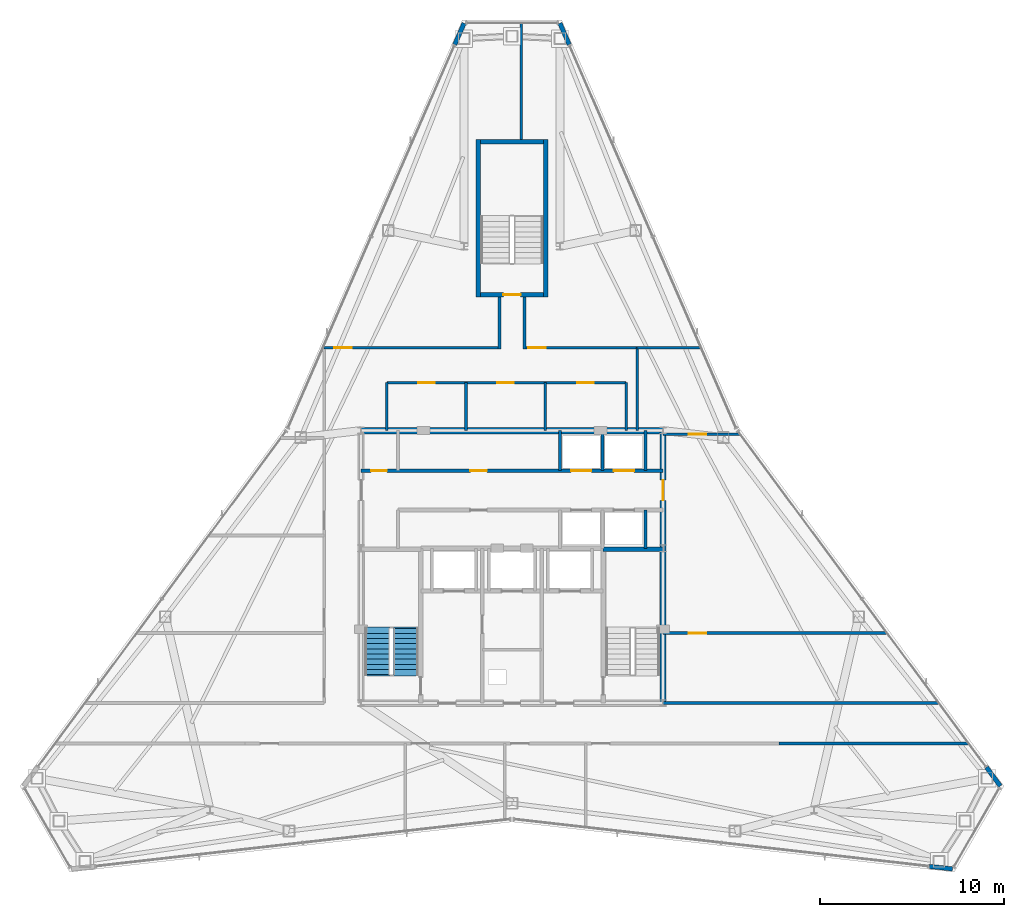
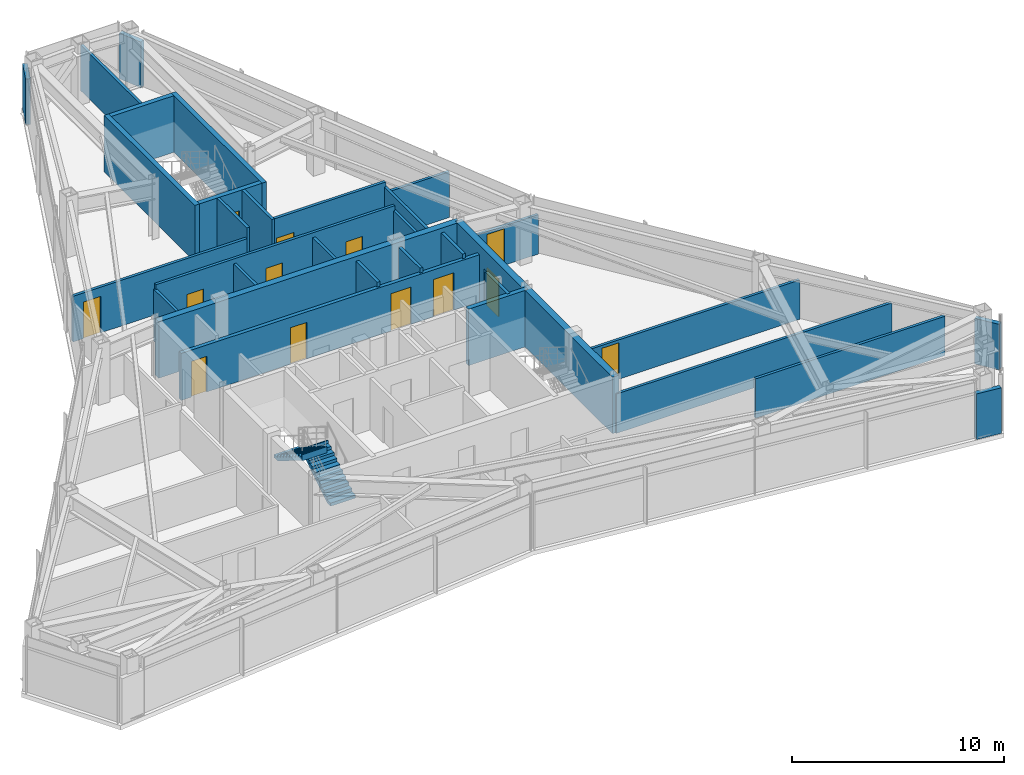
# One storey, part 10 of 12: 32 walls, 13 doors, 2 stair flights, 13 openings, 1 element without a shape of its own.
"""IFC4 building model written with IfcOpenShell, lengths in metres."""

from ifc_helpers import new_model, si_unit, direction, frame, frame_2d, origin, place, context, subcontext, project, spatial, polyline, rectangle, outline, extrude, material, layer, layer_set, type_object, element, fill, aggregate, save


model = new_model("IFC4")

# Units and contexts
model_context = context("Model", 3, precision=1e-05, world=origin(), true_north=direction((0.0, 1.0)))
body_context = subcontext(model_context, "Body", "Model", "MODEL_VIEW")
ifc_project = project(units=[si_unit("LENGTHUNIT", "METRE"), si_unit("AREAUNIT", "SQUARE_METRE"), si_unit("VOLUMEUNIT", "CUBIC_METRE"), si_unit("PLANEANGLEUNIT", "RADIAN"), si_unit("MASSUNIT", "GRAM", prefix="KILO")], contexts=[model_context])

# Site, building, storey
site_placement = place(None, origin())
site = spatial("IfcSite", under=ifc_project, at=site_placement, CompositionType="ELEMENT")
building_placement = place(site_placement, origin())
building = spatial("IfcBuilding", under=site, at=building_placement, Name="Varakhsha Concourse Tower", CompositionType="ELEMENT")
storey_placement = place(building_placement, frame((0.0, 0.0, 283.0)))
storey = spatial("IfcBuildingStorey", under=building, at=storey_placement, Name="L80", CompositionType="ELEMENT", Elevation=283.0)

# Wall
ifc_material_1 = material(Name="Concrete fc 65 MPa", Category="concrete")
ifc_layer_1 = layer(ifc_material_1, 0.35009765625, Name="WL-CORE-350")
ifc_layer_set_1 = layer_set([ifc_layer_1], Name="Concrete fc 65 MPa")
wall_type_1 = type_object("IfcWallType", Name="WL-CORE-350", PredefinedType="SHEAR", material=ifc_layer_set_1)
wall_1_placement = place(storey_placement, frame((31.800048828125, 31.199951171875, 0.0), z_axis=(0.0, 0.0, 1.0), x_axis=(1.0, 0.0, 0.0)))
element("IfcWall", 1, at=wall_1_placement, inside=storey, type_object=wall_type_1, Name="L80 Wall CWALL-N-L80", PredefinedType="SHEAR", context=body_context, shape_type="SweptSolid", body=[
    extrude(rectangle(XDim=16.39990234375, YDim=0.35009765625, at=frame_2d((8.199951171875, 0.0))), origin(), (0.0, 0.0, 1.0), 3.25),
])

# Wall, opening, door
wall_2_placement = place(storey_placement, frame((48.199951171875, 16.39990234375, 0.0), z_axis=(0.0, 0.0, 1.0), x_axis=(0.0, 1.0, 0.0)))
wall_2 = element("IfcWall", 2, at=wall_2_placement, inside=storey, type_object=wall_type_1, Name="L80 Wall CWALL-E-L80", PredefinedType="SHEAR", context=body_context, shape_type="SweptSolid", body=[
    extrude(rectangle(XDim=14.800048828125, YDim=0.35009765625, at=frame_2d((7.39990234375, 0.0))), origin(), (0.0, 0.0, 1.0), 3.25),
])
opening_1_placement = place(wall_2_placement, frame((11.0, 0.0, 0.0)))
opening_1 = element("IfcOpeningElement", 3, at=opening_1_placement, cuts=wall_2, Name="Opening DL-01", PredefinedType="OPENING", context=body_context, shape_type="SweptSolid", body=[
    extrude(rectangle(XDim=1.10009765625, YDim=2.14990234375, at=frame_2d((0.550048828125, 1.074951171875))), frame((0.0, 0.18505859375, 0.0), z_axis=(0.0, -1.0, 0.0), x_axis=(1.0, 0.0, 0.0)), (0.0, 0.0, 1.0), 0.3701171875),
])
ifc_material_2 = material(Name="Anodised Bronze Architectural Aluminium AA 6063-T6", Category="aluminium")
door_type_1 = type_object("IfcDoorType", Name="DR-LOB-1100", OperationType="NOTDEFINED", PredefinedType="DOOR", material=ifc_material_2)
door_1_placement = place(opening_1_placement, origin())
door_1 = element("IfcDoor", 4, at=door_1_placement, inside=storey, type_object=door_type_1, Name="L80 Lift Lobby East Concourse Door", OperationType="SINGLE_SWING_RIGHT", OverallHeight=2.14990234375, OverallWidth=1.10009765625, PredefinedType="DOOR", context=body_context, shape_type="SweptSolid", body=[
    extrude(rectangle(XDim=1.10009765625, YDim=2.14990234375, at=frame_2d((0.550048828125, 1.074951171875))), frame((0.0, 0.02490234375, 0.0), z_axis=(0.0, -1.0, 0.0), x_axis=(1.0, 0.0, 0.0)), (0.0, 0.0, 1.0), 0.050048828125),
])
fill(opening_1, door_1)

# Walls
ifc_material_3 = material(Name="Concrete fc 45 MPa", Category="concrete")
ifc_layer_2 = layer(ifc_material_3, 0.239990234375, Name="WL-EXT-CRN-240")
ifc_layer_set_2 = layer_set([ifc_layer_2], Name="Concrete fc 45 MPa")
wall_type_2 = type_object("IfcWallType", Name="WL-EXT-CRN-240", PredefinedType="SHEAR", material=ifc_layer_set_2)
for number, where, z_axis, x_axis, name in (
    (5, (37.398681640625, 53.322998046875, 0.0), (0.0, 0.0, 1.0), (-0.398888090641, -0.916999613492, 0.0), "L80 Wind-Corner Shoulder Wall F2"),
    (6, (62.6611328125, 7.52880859375, 0.0), (0.0, 0.0, 1.0), (0.993610655419, -0.11286215237, 0.0), "L80 Wind-Corner Shoulder Wall F6"),
):
    element("IfcWall", number, at=place(storey_placement, frame(where, z_axis=z_axis, x_axis=x_axis)), inside=storey, type_object=wall_type_2, Name=name, PredefinedType="SHEAR", context=body_context, shape_type="SweptSolid", body=[
        extrude(rectangle(XDim=1.267578125, YDim=0.239990234375, at=frame_2d((0.6337890625, 0.0))), origin(), (0.0, 0.0, 1.0), 2.623046875),
    ])
wall_3_placement = place(storey_placement, frame((66.521728515625, 11.891357421875, 0.0), z_axis=(0.0, 0.0, 1.0), x_axis=(-0.594499388503, 0.804096062091, 0.0)))
element("IfcWall", 7, at=wall_3_placement, inside=storey, type_object=wall_type_2, Name="L80 Wind-Corner Shoulder Wall F8", PredefinedType="SHEAR", context=body_context, shape_type="SweptSolid", body=[
    extrude(rectangle(XDim=1.267333984375, YDim=0.239990234375, at=frame_2d((0.6337890625, 0.0))), origin(), (0.0, 0.0, 1.0), 2.623046875),
])
wall_4_placement = place(storey_placement, frame((43.10693359375, 52.16064453125, 0.0), z_axis=(0.0, 0.0, 1.0), x_axis=(-0.398888090641, 0.916999613492, 0.0)))
element("IfcWall", 8, at=wall_4_placement, inside=storey, type_object=wall_type_2, Name="L80 Wind-Corner Shoulder Wall F9", PredefinedType="SHEAR", context=body_context, shape_type="SweptSolid", body=[
    extrude(rectangle(XDim=1.267578125, YDim=0.239990234375, at=frame_2d((0.6337890625, 0.0))), origin(), (0.0, 0.0, 1.0), 2.623046875),
])

# Wall, openings, doors
ifc_material_4 = material(Name="Fire-Rated Type X Gypsum Partition Assembly", Category="gypsum")
ifc_layer_3 = layer(ifc_material_4, 0.14990234375, Name="WL-PART-150")
ifc_layer_set_3 = layer_set([ifc_layer_3], Name="Fire-Rated Type X Gypsum Partition Assembly")
wall_type_3 = type_object("IfcWallType", Name="WL-PART-150", PredefinedType="PARTITIONING", material=ifc_layer_set_3)
wall_5_placement = place(storey_placement, frame((33.199951171875, 33.800048828125, 0.0), z_axis=(0.0, 0.0, 1.0), x_axis=(1.0, 0.0, 0.0)))
wall_5 = element("IfcWall", 9, at=wall_5_placement, inside=storey, type_object=wall_type_3, Name="L80 Wall NBOH-N-L80", PredefinedType="PARTITIONING", context=body_context, shape_type="SweptSolid", body=[
    extrude(rectangle(XDim=13.0, YDim=0.14990234375, at=frame_2d((6.5, 0.0))), origin(), (0.0, 0.0, 1.0), 3.25),
])
opening_2_placement = place(wall_5_placement, frame((1.699951171875, 0.0, 0.0)))
opening_2 = element("IfcOpeningElement", 10, at=opening_2_placement, cuts=wall_5, Name="Opening DF-06", PredefinedType="OPENING", context=body_context, shape_type="SweptSolid", body=[
    extrude(rectangle(XDim=0.89990234375, YDim=2.10009765625, at=frame_2d((0.449951171875, 1.050048828125))), frame((0.0, 0.0849609375, 0.0), z_axis=(0.0, -1.0, 0.0), x_axis=(1.0, 0.0, 0.0)), (0.0, 0.0, 1.0), 0.169921875),
])
opening_3_placement = place(wall_5_placement, frame((6.0, 0.0, 0.0)))
opening_3 = element("IfcOpeningElement", 11, at=opening_3_placement, cuts=wall_5, Name="Opening DF-06", PredefinedType="OPENING", context=body_context, shape_type="SweptSolid", body=[
    extrude(rectangle(XDim=0.89990234375, YDim=2.10009765625, at=frame_2d((0.449951171875, 1.050048828125))), frame((0.0, 0.0849609375, 0.0), z_axis=(0.0, -1.0, 0.0), x_axis=(1.0, 0.0, 0.0)), (0.0, 0.0, 1.0), 0.169921875),
])
opening_4_placement = place(wall_5_placement, frame((10.35009765625, 0.0, 0.0)))
opening_4 = element("IfcOpeningElement", 12, at=opening_4_placement, cuts=wall_5, Name="Opening DF-06", PredefinedType="OPENING", context=body_context, shape_type="SweptSolid", body=[
    extrude(rectangle(XDim=0.89990234375, YDim=2.10009765625, at=frame_2d((0.449951171875, 1.050048828125))), frame((0.0, 0.0849609375, 0.0), z_axis=(0.0, -1.0, 0.0), x_axis=(1.0, 0.0, 0.0)), (0.0, 0.0, 1.0), 0.169921875),
])
ifc_material_5 = material(Name="Hollow Galvanised Steel Fire Door Assembly", Category="steel")
door_type_2 = type_object("IfcDoorType", Name="DR-FD60-900", OperationType="NOTDEFINED", PredefinedType="DOOR", material=ifc_material_5)
door_2_placement = place(opening_2_placement, origin())
door_2 = element("IfcDoor", 13, at=door_2_placement, inside=storey, type_object=door_type_2, Name="L80 Men Restroom WC Door", OperationType="SINGLE_SWING_LEFT", OverallHeight=2.10009765625, OverallWidth=0.89990234375, PredefinedType="DOOR", context=body_context, shape_type="SweptSolid", body=[
    extrude(rectangle(XDim=0.89990234375, YDim=2.10009765625, at=frame_2d((0.449951171875, 1.050048828125))), frame((0.0, 0.02490234375, 0.0), z_axis=(0.0, -1.0, 0.0), x_axis=(1.0, 0.0, 0.0)), (0.0, 0.0, 1.0), 0.050048828125),
])
fill(opening_2, door_2)
door_3_placement = place(opening_3_placement, origin())
door_3 = element("IfcDoor", 14, at=door_3_placement, inside=storey, type_object=door_type_2, Name="L80 Women Restroom WC Door", OperationType="SINGLE_SWING_RIGHT", OverallHeight=2.10009765625, OverallWidth=0.89990234375, PredefinedType="DOOR", context=body_context, shape_type="SweptSolid", body=[
    extrude(rectangle(XDim=0.89990234375, YDim=2.10009765625, at=frame_2d((0.449951171875, 1.050048828125))), frame((0.0, 0.02490234375, 0.0), z_axis=(0.0, -1.0, 0.0), x_axis=(1.0, 0.0, 0.0)), (0.0, 0.0, 1.0), 0.050048828125),
])
fill(opening_3, door_3)
door_4_placement = place(opening_4_placement, origin())
door_4 = element("IfcDoor", 15, at=door_4_placement, inside=storey, type_object=door_type_2, Name="L80 Accessible WC Door", OperationType="SINGLE_SWING_LEFT", OverallHeight=2.10009765625, OverallWidth=0.89990234375, PredefinedType="DOOR", context=body_context, shape_type="SweptSolid", body=[
    extrude(rectangle(XDim=0.89990234375, YDim=2.10009765625, at=frame_2d((0.449951171875, 1.050048828125))), frame((0.0, 0.02490234375, 0.0), z_axis=(0.0, -1.0, 0.0), x_axis=(1.0, 0.0, 0.0)), (0.0, 0.0, 1.0), 0.050048828125),
])
fill(opening_4, door_4)

# Walls
for number, where, z_axis, x_axis, name in (
    (16, (33.199951171875, 31.199951171875, 0.0), (0.0, 0.0, 1.0), (0.0, 1.0, 0.0), "L80 Wall NBOH-W-L80"),
    (17, (46.199951171875, 31.199951171875, 0.0), (0.0, 0.0, 1.0), (0.0, 1.0, 0.0), "L80 Wall NBOH-E-L80"),
    (18, (37.5, 31.199951171875, 0.0), (0.0, 0.0, 1.0), (0.0, 1.0, 0.0), "L80 Wall NBOH-D1-L80"),
    (19, (41.800048828125, 31.199951171875, 0.0), (0.0, 0.0, 1.0), (0.0, 1.0, 0.0), "L80 Wall NBOH-D2-L80"),
):
    element("IfcWall", number, at=place(storey_placement, frame(where, z_axis=z_axis, x_axis=x_axis)), inside=storey, type_object=wall_type_3, Name=name, PredefinedType="PARTITIONING", context=body_context, shape_type="SweptSolid", body=[
        extrude(rectangle(XDim=2.60009765625, YDim=0.14990234375, at=frame_2d((1.300048828125, 0.0))), origin(), (0.0, 0.0, 1.0), 2.97802734375),
    ])
wall_6_placement = place(storey_placement, frame((54.5, 14.199951171875, 0.0), z_axis=(0.0, 0.0, 1.0), x_axis=(1.0, 0.0, 0.0)))
element("IfcWall", 20, at=wall_6_placement, inside=storey, type_object=wall_type_3, Name="L80 Wall CRW-SGAL-SE-L80", PredefinedType="PARTITIONING", context=body_context, shape_type="SweptSolid", body=[
    extrude(rectangle(XDim=10.308349609375, YDim=0.14990234375, at=frame_2d((5.154296875, 0.0))), origin(), (0.0, 0.0, 1.0), 2.264892578125),
])
wall_7_placement = place(storey_placement, frame((48.199951171875, 16.39990234375, 0.0), z_axis=(0.0, 0.0, 1.0), x_axis=(1.0, 0.0, 0.0)))
element("IfcWall", 21, at=wall_7_placement, inside=storey, type_object=wall_type_3, Name="L80 Wall CRW-SGAL-NE-L80", PredefinedType="PARTITIONING", context=body_context, shape_type="SweptSolid", body=[
    extrude(rectangle(XDim=14.981689453125, YDim=0.14990234375, at=frame_2d((7.49072265625, 0.0))), origin(), (0.0, 0.0, 1.0), 2.264892578125),
])

# Wall, opening, door
wall_8_placement = place(storey_placement, frame((29.800048828125, 35.699951171875, 0.0), z_axis=(0.0, 0.0, 1.0), x_axis=(1.0, 0.0, 0.0)))
wall_8 = element("IfcWall", 22, at=wall_8_placement, inside=storey, type_object=wall_type_3, Name="L80 Wall CRW-N-L80", PredefinedType="PARTITIONING", context=body_context, shape_type="SweptSolid", body=[
    extrude(rectangle(XDim=9.449951171875, YDim=0.14990234375, at=frame_2d((4.72509765625, 0.0))), origin(), (0.0, 0.0, 1.0), 2.6279296875),
])
opening_5_placement = place(wall_8_placement, frame((0.550048828125, 0.0, 0.0)))
opening_5 = element("IfcOpeningElement", 23, at=opening_5_placement, cuts=wall_8, Name="Opening DF-05", PredefinedType="OPENING", context=body_context, shape_type="SweptSolid", body=[
    extrude(rectangle(XDim=0.949951171875, YDim=2.10009765625, at=frame_2d((0.47509765625, 1.050048828125))), frame((0.0, 0.0849609375, 0.0), z_axis=(0.0, -1.0, 0.0), x_axis=(1.0, 0.0, 0.0)), (0.0, 0.0, 1.0), 0.169921875),
])
door_type_3 = type_object("IfcDoorType", Name="DR-FD60-950", OperationType="NOTDEFINED", PredefinedType="DOOR", material=ifc_material_5)
door_5_placement = place(opening_5_placement, origin())
door_5 = element("IfcDoor", 24, at=door_5_placement, inside=storey, type_object=door_type_3, Name="L80 Mountain View Grand Corner Boardroom L80-N1 Door", OperationType="SINGLE_SWING_LEFT", OverallHeight=2.10009765625, OverallWidth=0.949951171875, PredefinedType="DOOR", context=body_context, shape_type="SweptSolid", body=[
    extrude(rectangle(XDim=0.949951171875, YDim=2.10009765625, at=frame_2d((0.47509765625, 1.050048828125))), frame((0.0, 0.02490234375, 0.0), z_axis=(0.0, -1.0, 0.0), x_axis=(1.0, 0.0, 0.0)), (0.0, 0.0, 1.0), 0.050048828125),
])
fill(opening_5, door_5)

wall_9_placement = place(storey_placement, frame((40.75, 35.699951171875, 0.0), z_axis=(0.0, 0.0, 1.0), x_axis=(1.0, 0.0, 0.0)))
wall_9 = element("IfcWall", 25, at=wall_9_placement, inside=storey, type_object=wall_type_3, Name="L80 Wall CRW-N-L80-B", PredefinedType="PARTITIONING", context=body_context, shape_type="SweptSolid", body=[
    extrude(rectangle(XDim=6.050048828125, YDim=0.14990234375, at=frame_2d((3.02490234375, 0.0))), origin(), (0.0, 0.0, 1.0), 3.25),
])
opening_6_placement = place(wall_9_placement, frame((0.1201171875, 0.0, 0.0)))
opening_6 = element("IfcOpeningElement", 26, at=opening_6_placement, cuts=wall_9, Name="Opening DF-05", PredefinedType="OPENING", context=body_context, shape_type="SweptSolid", body=[
    extrude(rectangle(XDim=0.949951171875, YDim=2.10009765625, at=frame_2d((0.47509765625, 1.050048828125))), frame((0.0, 0.0849609375, 0.0), z_axis=(0.0, -1.0, 0.0), x_axis=(1.0, 0.0, 0.0)), (0.0, 0.0, 1.0), 0.169921875),
])
door_6_placement = place(opening_6_placement, origin())
door_6 = element("IfcDoor", 27, at=door_6_placement, inside=storey, type_object=door_type_3, Name="L80 North Executive Director Suite L80-N2 Door", OperationType="SINGLE_SWING_RIGHT", OverallHeight=2.10009765625, OverallWidth=0.949951171875, PredefinedType="DOOR", context=body_context, shape_type="SweptSolid", body=[
    extrude(rectangle(XDim=0.949951171875, YDim=2.10009765625, at=frame_2d((0.47509765625, 1.050048828125))), frame((0.0, 0.02490234375, 0.0), z_axis=(0.0, -1.0, 0.0), x_axis=(1.0, 0.0, 0.0)), (0.0, 0.0, 1.0), 0.050048828125),
])
fill(opening_6, door_6)

# Walls
wall_10_placement = place(storey_placement, frame((46.800048828125, 31.199951171875, 0.0), z_axis=(0.0, 0.0, 1.0), x_axis=(0.0, 1.0, 0.0)))
element("IfcWall", 28, at=wall_10_placement, inside=storey, type_object=wall_type_3, Name="L80 Wall CRW-NE-L80", PredefinedType="PARTITIONING", context=body_context, shape_type="SweptSolid", body=[
    extrude(rectangle(XDim=4.5, YDim=0.14990234375, at=frame_2d((2.25, 0.0))), origin(), (0.0, 0.0, 1.0), 2.97802734375),
])
wall_11_placement = place(storey_placement, frame((46.800048828125, 35.699951171875, 0.0), z_axis=(0.0, 0.0, 1.0), x_axis=(1.0, 0.0, 0.0)))
element("IfcWall", 29, at=wall_11_placement, inside=storey, type_object=wall_type_3, Name="L80 Wall ODIV-EBN-L80", PredefinedType="PARTITIONING", context=body_context, shape_type="SweptSolid", body=[
    extrude(rectangle(XDim=3.466064453125, YDim=0.14990234375, at=frame_2d((1.73291015625, 0.0))), origin(), (0.0, 0.0, 1.0), 2.6279296875),
])

# Wall, opening, door
wall_12_placement = place(storey_placement, frame((48.199951171875, 20.199951171875, 0.0), z_axis=(0.0, 0.0, 1.0), x_axis=(1.0, 0.0, 0.0)))
wall_12 = element("IfcWall", 30, at=wall_12_placement, inside=storey, type_object=wall_type_3, Name="L80 Wall ODIV-E1-L80", PredefinedType="PARTITIONING", context=body_context, shape_type="SweptSolid", body=[
    extrude(rectangle(XDim=12.172119140625, YDim=0.14990234375, at=frame_2d((6.0859375, 0.0))), origin(), (0.0, 0.0, 1.0), 2.264892578125),
])
opening_7_placement = place(wall_12_placement, frame((1.39990234375, 0.0, 0.0)))
opening_7 = element("IfcOpeningElement", 31, at=opening_7_placement, cuts=wall_12, Name="Opening DF-05", PredefinedType="OPENING", context=body_context, shape_type="SweptSolid", body=[
    extrude(rectangle(XDim=0.949951171875, YDim=2.10009765625, at=frame_2d((0.47509765625, 1.050048828125))), frame((0.0, 0.0849609375, 0.0), z_axis=(0.0, -1.0, 0.0), x_axis=(1.0, 0.0, 0.0)), (0.0, 0.0, 1.0), 0.169921875),
])
door_7_placement = place(opening_7_placement, origin())
door_7 = element("IfcDoor", 32, at=door_7_placement, inside=storey, type_object=door_type_3, Name="L80 East Suite Interconnect Door 1", OperationType="SINGLE_SWING_LEFT", OverallHeight=2.10009765625, OverallWidth=0.949951171875, PredefinedType="DOOR", context=body_context, shape_type="SweptSolid", body=[
    extrude(rectangle(XDim=0.949951171875, YDim=2.10009765625, at=frame_2d((0.47509765625, 1.050048828125))), frame((0.0, 0.02490234375, 0.0), z_axis=(0.0, -1.0, 0.0), x_axis=(1.0, 0.0, 0.0)), (0.0, 0.0, 1.0), 0.050048828125),
])
fill(opening_7, door_7)

wall_13_placement = place(storey_placement, frame((48.199951171875, 31.0, 0.0), z_axis=(0.0, 0.0, 1.0), x_axis=(1.0, 0.0, 0.0)))
wall_13 = element("IfcWall", 33, at=wall_13_placement, inside=storey, type_object=wall_type_3, Name="L80 Wall ODIV-E2-L80", PredefinedType="PARTITIONING", context=body_context, shape_type="SweptSolid", body=[
    extrude(rectangle(XDim=4.186767578125, YDim=0.14990234375, at=frame_2d((2.09326171875, 0.0))), origin(), (0.0, 0.0, 1.0), 2.264892578125),
])
opening_8_placement = place(wall_13_placement, frame((1.39990234375, 0.0, 0.0)))
opening_8 = element("IfcOpeningElement", 34, at=opening_8_placement, cuts=wall_13, Name="Opening DF-05", PredefinedType="OPENING", context=body_context, shape_type="SweptSolid", body=[
    extrude(rectangle(XDim=0.949951171875, YDim=2.10009765625, at=frame_2d((0.47509765625, 1.050048828125))), frame((0.0, 0.0849609375, 0.0), z_axis=(0.0, -1.0, 0.0), x_axis=(1.0, 0.0, 0.0)), (0.0, 0.0, 1.0), 0.169921875),
])
door_8_placement = place(opening_8_placement, origin())
door_8 = element("IfcDoor", 35, at=door_8_placement, inside=storey, type_object=door_type_3, Name="L80 East Suite Interconnect Door 2", OperationType="SINGLE_SWING_RIGHT", OverallHeight=2.10009765625, OverallWidth=0.949951171875, PredefinedType="DOOR", context=body_context, shape_type="SweptSolid", body=[
    extrude(rectangle(XDim=0.949951171875, YDim=2.10009765625, at=frame_2d((0.47509765625, 1.050048828125))), frame((0.0, 0.02490234375, 0.0), z_axis=(0.0, -1.0, 0.0), x_axis=(1.0, 0.0, 0.0)), (0.0, 0.0, 1.0), 0.050048828125),
])
fill(opening_8, door_8)

# Walls
wall_14_placement = place(storey_placement, frame((40.5, 47.0, 0.0), z_axis=(0.0, 0.0, 1.0), x_axis=(0.0, 1.0, 0.0)))
element("IfcWall", 36, at=wall_14_placement, inside=storey, type_object=wall_type_3, Name="L80 Wall ODIV-N1-L80", PredefinedType="PARTITIONING", context=body_context, shape_type="SweptSolid", body=[
    extrude(rectangle(XDim=6.331787109375, YDim=0.14990234375, at=frame_2d((3.166015625, 0.0))), origin(), (0.0, 0.0, 1.0), 2.6279296875),
])
for number, where, z_axis, x_axis, name in (
    (37, (39.324951171875, 35.625, 0.0), (0.0, 0.0, 1.0), (0.0, 1.0, 0.0), "L80 Wall STUB-W-L80"),
    (38, (40.675048828125, 35.625, 0.0), (0.0, 0.0, 1.0), (0.0, 1.0, 0.0), "L80 Wall STUB-E-L80"),
):
    element("IfcWall", number, at=place(storey_placement, frame(where, z_axis=z_axis, x_axis=x_axis)), inside=storey, type_object=wall_type_3, Name=name, PredefinedType="PARTITIONING", context=body_context, shape_type="SweptSolid", body=[
        extrude(rectangle(XDim=2.824951171875, YDim=0.14990234375, at=frame_2d((1.41259765625, 0.0))), origin(), (0.0, 0.0, 1.0), 3.25),
    ])

# Wall, openings, doors
ifc_layer_4 = layer(ifc_material_4, 0.199951171875, Name="WL-SHAFT-220")
ifc_layer_set_4 = layer_set([ifc_layer_4], Name="Fire-Rated Type X Gypsum Partition Assembly")
wall_type_4 = type_object("IfcWallType", Name="WL-SHAFT-220", PredefinedType="SOLIDWALL", material=ifc_layer_set_4)
wall_15_placement = place(storey_placement, frame((31.800048828125, 29.02001953125, 0.0), z_axis=(0.0, 0.0, 1.0), x_axis=(1.0, 0.0, 0.0)))
wall_15 = element("IfcWall", 39, at=wall_15_placement, inside=storey, type_object=wall_type_4, Name="L80 Wall PLW-N-L80", PredefinedType="SOLIDWALL", context=body_context, shape_type="SweptSolid", body=[
    extrude(rectangle(XDim=16.39990234375, YDim=0.199951171875, at=frame_2d((8.199951171875, 0.0))), origin(), (0.0, 0.0, 1.0), 2.705078125),
])
opening_9_placement = place(wall_15_placement, frame((0.550048828125, 0.0, 0.0)))
opening_9 = element("IfcOpeningElement", 40, at=opening_9_placement, cuts=wall_15, Name="Opening DF-07", PredefinedType="OPENING", context=body_context, shape_type="SweptSolid", body=[
    extrude(rectangle(XDim=0.85009765625, YDim=2.050048828125, at=frame_2d((0.425048828125, 1.02490234375))), frame((0.0, 0.10986328125, 0.0), z_axis=(0.0, -1.0, 0.0), x_axis=(1.0, 0.0, 0.0)), (0.0, 0.0, 1.0), 0.219970703125),
])
opening_10_placement = place(wall_15_placement, frame((5.93994140625, 0.0, 0.0)))
opening_10 = element("IfcOpeningElement", 41, at=opening_10_placement, cuts=wall_15, Name="Opening DF-06", PredefinedType="OPENING", context=body_context, shape_type="SweptSolid", body=[
    extrude(rectangle(XDim=0.89990234375, YDim=2.10009765625, at=frame_2d((0.449951171875, 1.050048828125))), frame((0.0, 0.10986328125, 0.0), z_axis=(0.0, -1.0, 0.0), x_axis=(1.0, 0.0, 0.0)), (0.0, 0.0, 1.0), 0.219970703125),
])
opening_11_placement = place(wall_15_placement, frame((11.409912109375, 0.0, 0.0)))
opening_11 = element("IfcOpeningElement", 42, at=opening_11_placement, cuts=wall_15, Name="Opening LD-LF-P09", PredefinedType="OPENING", context=body_context, shape_type="SweptSolid", body=[
    extrude(rectangle(XDim=1.10009765625, YDim=2.14990234375, at=frame_2d((0.550048828125, 1.074951171875))), frame((0.0, 0.10986328125, 0.0), z_axis=(0.0, -1.0, 0.0), x_axis=(1.0, 0.0, 0.0)), (0.0, 0.0, 1.0), 0.219970703125),
])
opening_12_placement = place(wall_15_placement, frame((13.72998046875, 0.0, 0.0)))
opening_12 = element("IfcOpeningElement", 43, at=opening_12_placement, cuts=wall_15, Name="Opening LD-LF-P10", PredefinedType="OPENING", context=body_context, shape_type="SweptSolid", body=[
    extrude(rectangle(XDim=1.10009765625, YDim=2.14990234375, at=frame_2d((0.550048828125, 1.074951171875))), frame((0.0, 0.10986328125, 0.0), z_axis=(0.0, -1.0, 0.0), x_axis=(1.0, 0.0, 0.0)), (0.0, 0.0, 1.0), 0.219970703125),
])
door_type_4 = type_object("IfcDoorType", Name="DR-FD60-850", OperationType="NOTDEFINED", PredefinedType="DOOR", material=ifc_material_5)
door_9_placement = place(opening_9_placement, origin())
door_9 = element("IfcDoor", 44, at=door_9_placement, inside=storey, type_object=door_type_4, Name="L80 Core Janitor Closet Door", OperationType="SINGLE_SWING_LEFT", OverallHeight=2.050048828125, OverallWidth=0.85009765625, PredefinedType="DOOR", context=body_context, shape_type="SweptSolid", body=[
    extrude(rectangle(XDim=0.85009765625, YDim=2.050048828125, at=frame_2d((0.425048828125, 1.02490234375))), frame((0.0, 0.02490234375, 0.0), z_axis=(0.0, -1.0, 0.0), x_axis=(1.0, 0.0, 0.0)), (0.0, 0.0, 1.0), 0.050048828125),
])
fill(opening_9, door_9)
door_10_placement = place(opening_10_placement, origin())
door_10 = element("IfcDoor", 45, at=door_10_placement, inside=storey, type_object=door_type_2, Name="L80 Tenant Archive and IT Server Room Door", OperationType="SINGLE_SWING_LEFT", OverallHeight=2.10009765625, OverallWidth=0.89990234375, PredefinedType="DOOR", context=body_context, shape_type="SweptSolid", body=[
    extrude(rectangle(XDim=0.89990234375, YDim=2.10009765625, at=frame_2d((0.449951171875, 1.050048828125))), frame((0.0, 0.02490234375, 0.0), z_axis=(0.0, -1.0, 0.0), x_axis=(1.0, 0.0, 0.0)), (0.0, 0.0, 1.0), 0.050048828125),
])
fill(opening_10, door_10)
ifc_material_6 = material(Name="Brushed Austenitic Stainless Steel AISI 316", Category="steel")
door_type_5 = type_object("IfcDoorType", Name="DR-LD-1100", OperationType="DOUBLE_DOOR_SLIDING", PredefinedType="DOOR", material=ifc_material_6)
door_11_placement = place(opening_11_placement, origin())
door_11 = element("IfcDoor", 46, at=door_11_placement, inside=storey, type_object=door_type_5, Name="Lift Landing Door LF-P09 L80", OperationType="DOUBLE_DOOR_SLIDING", OverallHeight=2.14990234375, OverallWidth=1.10009765625, PredefinedType="DOOR", context=body_context, shape_type="SweptSolid", body=[
    extrude(rectangle(XDim=1.10009765625, YDim=2.14990234375, at=frame_2d((0.550048828125, 1.074951171875))), frame((0.0, 0.02490234375, 0.0), z_axis=(0.0, -1.0, 0.0), x_axis=(1.0, 0.0, 0.0)), (0.0, 0.0, 1.0), 0.050048828125),
])
fill(opening_11, door_11)
door_12_placement = place(opening_12_placement, origin())
door_12 = element("IfcDoor", 47, at=door_12_placement, inside=storey, type_object=door_type_5, Name="Lift Landing Door LF-P10 L80", OperationType="DOUBLE_DOOR_SLIDING", OverallHeight=2.14990234375, OverallWidth=1.10009765625, PredefinedType="DOOR", context=body_context, shape_type="SweptSolid", body=[
    extrude(rectangle(XDim=1.10009765625, YDim=2.14990234375, at=frame_2d((0.550048828125, 1.074951171875))), frame((0.0, 0.02490234375, 0.0), z_axis=(0.0, -1.0, 0.0), x_axis=(1.0, 0.0, 0.0)), (0.0, 0.0, 1.0), 0.050048828125),
])
fill(opening_12, door_12)

# Walls
for number, where, z_axis, x_axis, name in (
    (48, (42.60009765625, 29.02001953125, 0.0), (0.0, 0.0, 1.0), (0.0, 1.0, 0.0), "L80 Wall SHW-LF-P09-W-L80"),
    (49, (44.919921875, 29.02001953125, 0.0), (0.0, 0.0, 1.0), (0.0, 1.0, 0.0), "L80 Wall SHW-LF-P09-E-L80"),
    (50, (47.239990234375, 29.02001953125, 0.0), (0.0, 0.0, 1.0), (0.0, 1.0, 0.0), "L80 Wall SHW-LF-P10-E-L80"),
):
    element("IfcWall", number, at=place(storey_placement, frame(where, z_axis=z_axis, x_axis=x_axis)), inside=storey, type_object=wall_type_4, Name=name, PredefinedType="SOLIDWALL", context=body_context, shape_type="SweptSolid", body=[
        extrude(rectangle(XDim=2.179931640625, YDim=0.159912109375, at=frame_2d((1.08984375, 0.0))), origin(), (0.0, 0.0, 1.0), 2.97802734375),
    ])
wall_16_placement = place(storey_placement, frame((47.239990234375, 24.800048828125, 0.0), z_axis=(0.0, 0.0, 1.0), x_axis=(0.0, 1.0, 0.0)))
element("IfcWall", 51, at=wall_16_placement, inside=storey, type_object=wall_type_4, Name="L80 Wall SHW-LF-P12-E-L80", PredefinedType="SOLIDWALL", context=body_context, shape_type="SweptSolid", body=[
    extrude(rectangle(XDim=2.079833984375, YDim=0.159912109375, at=frame_2d((1.0400390625, 0.0))), origin(), (0.0, 0.0, 1.0), 3.25),
])
ifc_layer_5 = layer(ifc_material_3, 0.25, Name="WL-STAIR-250")
ifc_layer_set_5 = layer_set([ifc_layer_5], Name="Concrete fc 45 MPa")
wall_type_5 = type_object("IfcWallType", Name="WL-STAIR-250", PredefinedType="SHEAR", material=ifc_layer_set_5)
wall_17_placement = place(storey_placement, frame((44.955078125, 24.7548828125, 0.0), z_axis=(0.0, 0.0, 1.0), x_axis=(1.0, 0.0, 0.0)))
element("IfcWall", 52, at=wall_17_placement, inside=storey, type_object=wall_type_5, Name="L80 Wall SWALL-ST2-N-L80", PredefinedType="SHEAR", context=body_context, shape_type="SweptSolid", body=[
    extrude(rectangle(XDim=3.244873046875, YDim=0.25, at=frame_2d((1.62255859375, 0.0))), origin(), (0.0, 0.0, 1.0), 3.25),
])
for number, where, z_axis, x_axis, name in (
    (53, (38.175048828125, 38.449951171875, 0.0), (0.0, 0.0, 1.0), (0.0, 1.0, 0.0), "L80 Wall SWALL-ST5-W-L80"),
    (54, (41.824951171875, 38.449951171875, 0.0), (0.0, 0.0, 1.0), (0.0, 1.0, 0.0), "L80 Wall SWALL-ST5-E-L80"),
):
    element("IfcWall", number, at=place(storey_placement, frame(where, z_axis=z_axis, x_axis=x_axis)), inside=storey, type_object=wall_type_5, Name=name, PredefinedType="SHEAR", context=body_context, shape_type="SweptSolid", body=[
        extrude(rectangle(XDim=8.550048828125, YDim=0.25, at=frame_2d((4.27490234375, 0.0))), origin(), (0.0, 0.0, 1.0), 3.25),
    ])

# Wall, opening, door
wall_18_placement = place(storey_placement, frame((38.300048828125, 38.574951171875, 0.0), z_axis=(0.0, 0.0, 1.0), x_axis=(1.0, 0.0, 0.0)))
wall_18 = element("IfcWall", 55, at=wall_18_placement, inside=storey, type_object=wall_type_5, Name="L80 Wall SWALL-ST5-S-L80", PredefinedType="SHEAR", context=body_context, shape_type="SweptSolid", body=[
    extrude(rectangle(XDim=3.39990234375, YDim=0.25, at=frame_2d((1.699951171875, 0.0))), origin(), (0.0, 0.0, 1.0), 3.25),
])
opening_13_placement = place(wall_18_placement, frame((1.22509765625, 0.0, 0.0)))
opening_13 = element("IfcOpeningElement", 56, at=opening_13_placement, cuts=wall_18, Name="Opening DF-03", PredefinedType="OPENING", context=body_context, shape_type="SweptSolid", body=[
    extrude(rectangle(XDim=0.949951171875, YDim=2.10009765625, at=frame_2d((0.47509765625, 1.050048828125))), frame((0.0, 0.135009765625, 0.0), z_axis=(0.0, -1.0, 0.0), x_axis=(1.0, 0.0, 0.0)), (0.0, 0.0, 1.0), 0.27001953125),
])
door_type_6 = type_object("IfcDoorType", Name="DR-FD90-950", OperationType="NOTDEFINED", PredefinedType="DOOR", material=ifc_material_5)
door_13_placement = place(opening_13_placement, origin())
door_13 = element("IfcDoor", 57, at=door_13_placement, inside=storey, type_object=door_type_6, Name="L80 Stair ST5 Fire Door", OperationType="SINGLE_SWING_RIGHT", OverallHeight=2.10009765625, OverallWidth=0.949951171875, PredefinedType="DOOR", context=body_context, shape_type="SweptSolid", body=[
    extrude(rectangle(XDim=0.949951171875, YDim=2.10009765625, at=frame_2d((0.47509765625, 1.050048828125))), frame((0.0, 0.02490234375, 0.0), z_axis=(0.0, -1.0, 0.0), x_axis=(1.0, 0.0, 0.0)), (0.0, 0.0, 1.0), 0.050048828125),
])
fill(opening_13, door_13)

# Wall
wall_19_placement = place(storey_placement, frame((38.300048828125, 46.875, 0.0), z_axis=(0.0, 0.0, 1.0), x_axis=(1.0, 0.0, 0.0)))
element("IfcWall", 58, at=wall_19_placement, inside=storey, type_object=wall_type_5, Name="L80 Wall SWALL-ST5-N-L80", PredefinedType="SHEAR", context=body_context, shape_type="SweptSolid", body=[
    extrude(rectangle(XDim=3.39990234375, YDim=0.25, at=frame_2d((1.699951171875, 0.0))), origin(), (0.0, 0.0, 1.0), 3.25),
])

# Stair, stair flights
stair_type = type_object("IfcStairType", Name="ST-DOGLEG-1360", PredefinedType="HALF_TURN_STAIR", material=ifc_material_3)
stair_placement = place(storey_placement, origin())
stair = element("IfcStair", 59, at=stair_placement, inside=storey, type_object=stair_type, Name="L80 Protected Exit Stair ST1", PredefinedType="HALF_TURN_STAIR")
stair_flight_type = type_object("IfcStairFlightType", Name="STF-1360-R1750", PredefinedType="STRAIGHT", material=ifc_material_3)
stair_flight_1_placement = place(storey_placement, frame((34.239990234375, 17.93994140625, 0.0), z_axis=(0.0, 0.0, 1.0), x_axis=(0.0, 1.0, 0.0)))
stair_flight_1 = element("IfcStairFlight", 60, at=stair_flight_1_placement, type_object=stair_flight_type, Name="ST1 flight 1", NumberOfRisers=10, NumberOfTreads=9, PredefinedType="STRAIGHT", RiserHeight=0.175, TreadLength=0.28, context=body_context, shape_type="SweptSolid", body=[
    extrude(outline(polyline([(-0.06005859375, 0.0), (-0.06005859375, 0.175048828125), (0.0, 0.175048828125), (0.280029296875, 0.175048828125), (0.280029296875, 0.35009765625), (0.56005859375, 0.35009765625), (0.56005859375, 0.52490234375), (0.840087890625, 0.52490234375), (0.840087890625, 0.699951171875), (1.1201171875, 0.699951171875), (1.1201171875, 0.875), (1.39990234375, 0.875), (1.39990234375, 1.050048828125), (1.679931640625, 1.050048828125), (1.679931640625, 1.22509765625), (1.9599609375, 1.22509765625), (1.9599609375, 1.39990234375), (2.239990234375, 1.39990234375), (2.239990234375, 1.574951171875), (2.52001953125, 1.574951171875), (2.52001953125, 1.75), (2.580078125, 1.75), (2.580078125, 1.398193359375), (2.52001953125, 1.398193359375), (0.28271484375, 0.0), (-0.06005859375, 0.0)])), frame((0.0, 0.68017578125, 0.0), z_axis=(0.0, -1.0, 0.0), x_axis=(1.0, 0.0, 0.0)), (0.0, 0.0, 1.0), 1.360107421875),
])
stair_flight_2_placement = place(storey_placement, frame((32.679931640625, 20.4599609375, 1.75), z_axis=(0.0, 0.0, 1.0), x_axis=(0.0, -1.0, 0.0)))
stair_flight_2 = element("IfcStairFlight", 61, at=stair_flight_2_placement, type_object=stair_flight_type, Name="ST1 flight 2", NumberOfRisers=10, NumberOfTreads=9, PredefinedType="STRAIGHT", RiserHeight=0.175, TreadLength=0.28, context=body_context, shape_type="SweptSolid", body=[
    extrude(outline(polyline([(-0.06005859375, 0.0), (-0.06005859375, 0.175048828125), (0.0, 0.175048828125), (0.280029296875, 0.175048828125), (0.280029296875, 0.35009765625), (0.56005859375, 0.35009765625), (0.56005859375, 0.52490234375), (0.840087890625, 0.52490234375), (0.840087890625, 0.699951171875), (1.1201171875, 0.699951171875), (1.1201171875, 0.875), (1.39990234375, 0.875), (1.39990234375, 1.050048828125), (1.679931640625, 1.050048828125), (1.679931640625, 1.22509765625), (1.9599609375, 1.22509765625), (1.9599609375, 1.39990234375), (2.239990234375, 1.39990234375), (2.239990234375, 1.574951171875), (2.52001953125, 1.574951171875), (2.52001953125, 1.75), (2.580078125, 1.75), (2.580078125, 1.398193359375), (2.52001953125, 1.398193359375), (0.28271484375, 0.0), (-0.06005859375, 0.0)])), frame((0.0, 0.68017578125, 0.0), z_axis=(0.0, -1.0, 0.0), x_axis=(1.0, 0.0, 0.0)), (0.0, 0.0, 1.0), 1.360107421875),
])
aggregate(stair, [stair_flight_1, stair_flight_2])

save(model, "model.ifc")
